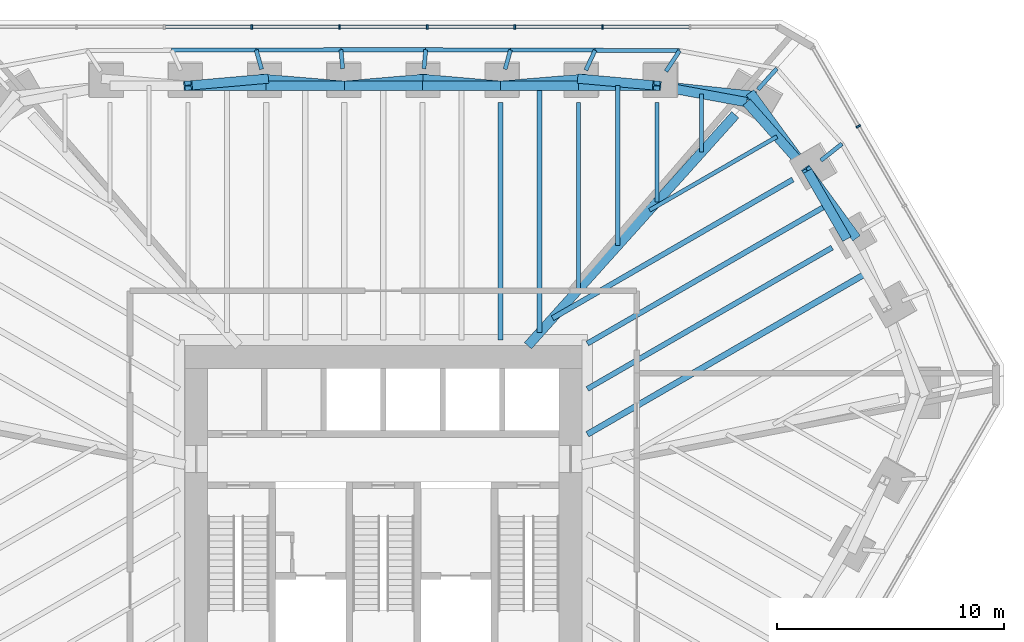
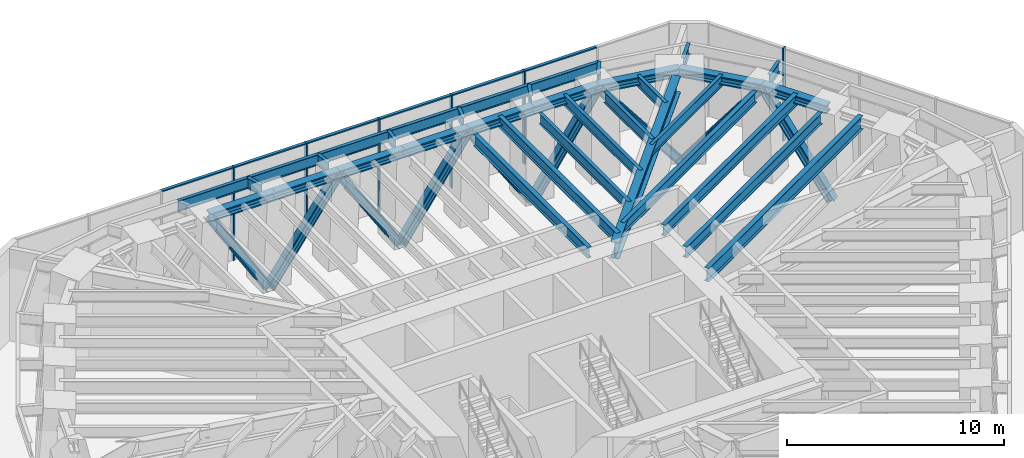
# One storey, part 8 of 13: 35 beams, 21 members, 2 elements without a shape of their own.
"""IFC4 building model written with IfcOpenShell, lengths in metres."""

from ifc_helpers import new_model, si_unit, direction, frame, origin, origin_2d, place, context, subcontext, project, spatial, rectangle, i_section, extrude, material, material_profile, profile_set, type_object, element, aggregate, save


model = new_model("IFC4")

# Units and contexts
model_context = context("Model", 3, precision=1e-05, world=origin(), true_north=direction((0.0, 1.0)))
body_context = subcontext(model_context, "Body", "Model", "MODEL_VIEW")
ifc_project = project(units=[si_unit("LENGTHUNIT", "METRE"), si_unit("AREAUNIT", "SQUARE_METRE"), si_unit("VOLUMEUNIT", "CUBIC_METRE"), si_unit("PLANEANGLEUNIT", "RADIAN"), si_unit("MASSUNIT", "GRAM", prefix="KILO")], contexts=[model_context])

# Site, building, storey
site_placement = place(None, origin())
site = spatial("IfcSite", under=ifc_project, at=site_placement, CompositionType="ELEMENT")
building_placement = place(site_placement, origin())
building = spatial("IfcBuilding", under=site, at=building_placement, Name="Sandreach Pilgrim Tower", CompositionType="ELEMENT")
storey_placement = place(building_placement, frame((0.0, 0.0, 251.60009765625)))
storey = spatial("IfcBuildingStorey", under=building, at=storey_placement, Name="L63", CompositionType="ELEMENT", Elevation=251.60009765625)

# Beams
ifc_material_1 = material(Name="Steel ASTM A913 Grade 65", Category="steel")
ifc_material_profile_1 = material_profile(ifc_material_1, i_section(OverallWidth=0.419189453125, OverallDepth=0.45458984375, WebThickness=0.042236328125, FlangeThickness=0.067626953125, at=origin_2d()), Name="W14X370")
ifc_profile_set_1 = profile_set([ifc_material_profile_1], Name="Steel ASTM A913 Grade 65")
beam_type_1 = type_object("IfcBeamType", Name="Belt truss chord W14X370", PredefinedType="BEAM", material=ifc_profile_set_1)
for number, where, z_axis, x_axis, name in (
    (1, (-8.612548828125, 18.56640625, 5.012451171875), (1.0, 0.0, 0.0), (0.0, 1.0, 0.0), "BM L63 BTT02"),
    (2, (-5.16748046875, 18.56640625, 5.012451171875), (1.0, 0.0, 0.0), (0.0, 1.0, 0.0), "BM L63 BTT03"),
):
    element("IfcBeam", number, at=place(storey_placement, frame(where, z_axis=z_axis, x_axis=x_axis)), inside=storey, type_object=beam_type_1, Name=name, PredefinedType="BEAM", context=body_context, shape_type="SweptSolid", body=[
        extrude(i_section(OverallWidth=0.419189453125, OverallDepth=0.45458984375, WebThickness=0.042236328125, FlangeThickness=0.067626953125, at=origin_2d()), origin(), (0.0, 0.0, 1.0), 3.445068359375),
    ])
beam_1_placement = place(storey_placement, frame((-1.722412109375, 18.56640625, 5.012451171875), z_axis=(1.0, 0.0, 0.0), x_axis=(0.0, 1.0, 0.0)))
element("IfcBeam", 3, at=beam_1_placement, inside=storey, type_object=beam_type_1, Name="BM L63 BTT04", PredefinedType="BEAM", context=body_context, shape_type="SweptSolid", body=[
    extrude(i_section(OverallWidth=0.419189453125, OverallDepth=0.45458984375, WebThickness=0.042236328125, FlangeThickness=0.067626953125, at=origin_2d()), origin(), (0.0, 0.0, 1.0), 3.44482421875),
])
for number, where, z_axis, x_axis, name in (
    (4, (1.722412109375, 18.56640625, 5.012451171875), (1.0, 0.0, 0.0), (0.0, 1.0, 0.0), "BM L63 BTT05"),
    (5, (5.16748046875, 18.56640625, 5.012451171875), (1.0, 0.0, 0.0), (0.0, 1.0, 0.0), "BM L63 BTT06"),
    (6, (8.612548828125, 18.56640625, 5.012451171875), (1.0, 0.0, 0.0), (0.0, 1.0, 0.0), "BM L63 BTT07"),
):
    element("IfcBeam", number, at=place(storey_placement, frame(where, z_axis=z_axis, x_axis=x_axis)), inside=storey, type_object=beam_type_1, Name=name, PredefinedType="BEAM", context=body_context, shape_type="SweptSolid", body=[
        extrude(i_section(OverallWidth=0.419189453125, OverallDepth=0.45458984375, WebThickness=0.042236328125, FlangeThickness=0.067626953125, at=origin_2d()), origin(), (0.0, 0.0, 1.0), 3.445068359375),
    ])
beam_2_placement = place(storey_placement, frame((12.0576171875, 18.56640625, 5.012451171875), z_axis=(0.983454894629, -0.181153167875, 0.0), x_axis=(0.181153167875, 0.983454894629, 0.0)))
element("IfcBeam", 7, at=beam_2_placement, inside=storey, type_object=beam_type_1, Name="BM L63 BTT08", PredefinedType="BEAM", context=body_context, shape_type="SweptSolid", body=[
    extrude(i_section(OverallWidth=0.419189453125, OverallDepth=0.45458984375, WebThickness=0.042236328125, FlangeThickness=0.067626953125, at=origin_2d()), origin(), (0.0, 0.0, 1.0), 4.025634765625),
])
beam_3_placement = place(storey_placement, frame((16.0166015625, 17.837158203125, 5.012451171875), z_axis=(0.662650525414, -0.748928755736, 0.0), x_axis=(0.748928755736, 0.662650525414, 0.0)))
element("IfcBeam", 8, at=beam_3_placement, inside=storey, type_object=beam_type_1, Name="BM L63 BTT09", PredefinedType="BEAM", context=body_context, shape_type="SweptSolid", body=[
    extrude(i_section(OverallWidth=0.419189453125, OverallDepth=0.45458984375, WebThickness=0.042236328125, FlangeThickness=0.067626953125, at=origin_2d()), origin(), (0.0, 0.0, 1.0), 4.054931640625),
])
beam_4_placement = place(storey_placement, frame((18.70361328125, 14.80029296875, 5.012451171875), z_axis=(0.500033451825, -0.866006089503, 0.0), x_axis=(0.866006089503, 0.500033451825, 0.0)))
element("IfcBeam", 9, at=beam_4_placement, inside=storey, type_object=beam_type_1, Name="BM L63 BTT10", PredefinedType="BEAM", context=body_context, shape_type="SweptSolid", body=[
    extrude(i_section(OverallWidth=0.419189453125, OverallDepth=0.45458984375, WebThickness=0.042236328125, FlangeThickness=0.067626953125, at=origin_2d()), origin(), (0.0, 0.0, 1.0), 3.465576171875),
])

# Members
ifc_material_2 = material(Name="Steel ASTM A913 Grade 65", Category="steel")
ifc_material_profile_2 = material_profile(ifc_material_2, i_section(OverallWidth=0.411376953125, OverallDepth=0.434326171875, WebThickness=0.035888671875, FlangeThickness=0.057373046875, at=origin_2d()), Name="W14X311")
ifc_profile_set_2 = profile_set([ifc_material_profile_2], Name="Steel ASTM A913 Grade 65")
member_type_1 = type_object("IfcMemberType", Name="Belt truss diagonal W14X311", PredefinedType="BRACE", material=ifc_profile_set_2)
member_1_placement = place(storey_placement, frame((-8.612548828125, 18.56640625, 5.012451171875), z_axis=(0.52805711704, 0.046349720815, -0.847943031414), x_axis=(-0.087437890048, 0.996169973139, 0.0)))
element("IfcMember", 10, at=member_1_placement, inside=storey, type_object=member_type_1, Name="Belt truss diagonal L63 bay 02", PredefinedType="BRACE", context=body_context, shape_type="SweptSolid", body=[
    extrude(i_section(OverallWidth=0.411376953125, OverallDepth=0.434326171875, WebThickness=0.035888671875, FlangeThickness=0.057373046875, at=origin_2d()), origin(), (0.0, 0.0, 1.0), 6.3681640625),
])
member_2_placement = place(storey_placement, frame((-5.249755859375, 18.861572265625, -0.387451171875), z_axis=(0.546312449408, -0.045715099068, 0.836332970377), x_axis=(0.083387959939, 0.996517158978, 0.0)))
element("IfcMember", 11, at=member_2_placement, inside=storey, type_object=member_type_1, Name="Belt truss diagonal L63 bay 03", PredefinedType="BRACE", context=body_context, shape_type="SweptSolid", body=[
    extrude(i_section(OverallWidth=0.411376953125, OverallDepth=0.434326171875, WebThickness=0.035888671875, FlangeThickness=0.057373046875, at=origin_2d()), origin(), (0.0, 0.0, 1.0), 6.45654296875),
])
member_3_placement = place(storey_placement, frame((-1.722412109375, 18.56640625, 5.012451171875), z_axis=(0.54030216631, 0.045927393593, -0.840216783692), x_axis=(-0.084697721346, 0.996406692068, 0.0)))
element("IfcMember", 12, at=member_3_placement, inside=storey, type_object=member_type_1, Name="Belt truss diagonal L63 bay 04", PredefinedType="BRACE", context=body_context, shape_type="SweptSolid", body=[
    extrude(i_section(OverallWidth=0.411376953125, OverallDepth=0.434326171875, WebThickness=0.035888671875, FlangeThickness=0.057373046875, at=origin_2d()), origin(), (0.0, 0.0, 1.0), 6.4267578125),
])
member_4_placement = place(storey_placement, frame((1.75, 18.861572265625, -0.387451171875), z_axis=(0.534208037718, -0.046139271153, 0.84409296887), x_axis=(0.086049127885, 0.996290895065, 0.0)))
element("IfcMember", 13, at=member_4_placement, inside=storey, type_object=member_type_1, Name="Belt truss diagonal L63 bay 05", PredefinedType="BRACE", context=body_context, shape_type="SweptSolid", body=[
    extrude(i_section(OverallWidth=0.411376953125, OverallDepth=0.434326171875, WebThickness=0.035888671875, FlangeThickness=0.057373046875, at=origin_2d()), origin(), (0.0, 0.0, 1.0), 6.397216796875),
])
member_5_placement = place(storey_placement, frame((5.16748046875, 18.56640625, 5.012451171875), z_axis=(0.55221335153, 0.045503403899, -0.832460121943), x_axis=(-0.08212351354, 0.996622159358, 0.0)))
element("IfcMember", 14, at=member_5_placement, inside=storey, type_object=member_type_1, Name="Belt truss diagonal L63 bay 06", PredefinedType="BRACE", context=body_context, shape_type="SweptSolid", body=[
    extrude(i_section(OverallWidth=0.411376953125, OverallDepth=0.434326171875, WebThickness=0.035888671875, FlangeThickness=0.057373046875, at=origin_2d()), origin(), (0.0, 0.0, 1.0), 6.486572265625),
])
member_6_placement = place(storey_placement, frame((8.74951171875, 18.861572265625, -0.387451171875), z_axis=(0.521821949279, -0.046559611563, 0.851782868941), x_axis=(0.088872033213, 0.996043052138, 0.0)))
element("IfcMember", 15, at=member_6_placement, inside=storey, type_object=member_type_1, Name="Belt truss diagonal L63 bay 07", PredefinedType="BRACE", context=body_context, shape_type="SweptSolid", body=[
    extrude(i_section(OverallWidth=0.411376953125, OverallDepth=0.434326171875, WebThickness=0.035888671875, FlangeThickness=0.057373046875, at=origin_2d()), origin(), (0.0, 0.0, 1.0), 6.339599609375),
])
member_7_placement = place(storey_placement, frame((12.0576171875, 18.56640625, 5.012451171875), z_axis=(0.614124235953, -0.064545456497, -0.786565513394), x_axis=(0.104525897822, 0.994522165004, 0.0)))
element("IfcMember", 16, at=member_7_placement, inside=storey, type_object=member_type_1, Name="Belt truss diagonal L63 bay 08", PredefinedType="BRACE", context=body_context, shape_type="SweptSolid", body=[
    extrude(i_section(OverallWidth=0.411376953125, OverallDepth=0.434326171875, WebThickness=0.035888671875, FlangeThickness=0.057373046875, at=origin_2d()), origin(), (0.0, 0.0, 1.0), 6.865234375),
])
member_8_placement = place(storey_placement, frame((16.273681640625, 18.123291015625, -0.387451171875), z_axis=(0.357862455817, -0.489386706131, 0.795257891868), x_axis=(0.807207447638, 0.590267851469, 0.0)))
element("IfcMember", 17, at=member_8_placement, inside=storey, type_object=member_type_1, Name="Belt truss diagonal L63 bay 09", PredefinedType="BRACE", context=body_context, shape_type="SweptSolid", body=[
    extrude(i_section(OverallWidth=0.411376953125, OverallDepth=0.434326171875, WebThickness=0.035888671875, FlangeThickness=0.057373046875, at=origin_2d()), origin(), (0.0, 0.0, 1.0), 6.7900390625),
])
member_9_placement = place(storey_placement, frame((18.70361328125, 14.80029296875, 5.012451171875), z_axis=(0.319353444465, -0.438289525661, -0.840187877325), x_axis=(0.808211729907, 0.588892010169, 0.0)))
element("IfcMember", 18, at=member_9_placement, inside=storey, type_object=member_type_1, Name="Belt truss diagonal L63 bay 10", PredefinedType="BRACE", context=body_context, shape_type="SweptSolid", body=[
    extrude(i_section(OverallWidth=0.411376953125, OverallDepth=0.434326171875, WebThickness=0.035888671875, FlangeThickness=0.057373046875, at=origin_2d()), origin(), (0.0, 0.0, 1.0), 6.427001953125),
])

# Curtain wall, members
ifc_material_3 = material(Name="Aluminium framed curtain wall", Category="aluminium")
curtain_wall_type = type_object("IfcCurtainWallType", Name="Plant storey louvred curtain wall", PredefinedType="NOTDEFINED", material=ifc_material_3)
curtain_wall_1_placement = place(storey_placement, origin())
curtain_wall_1 = element("IfcCurtainWall", 19, at=curtain_wall_1_placement, inside=storey, type_object=curtain_wall_type, Name="CW-L L63 N", PredefinedType="NOTDEFINED")
ifc_material_4 = material(Name="Aluminium extrusion", Category="aluminium")
ifc_material_profile_3 = material_profile(ifc_material_4, rectangle(XDim=0.080078125, YDim=0.199951171875, at=origin_2d()), Name="CW-LM 80X200")
ifc_profile_set_3 = profile_set([ifc_material_profile_3], Name="Aluminium extrusion")
member_type_2 = type_object("IfcMemberType", Name="CW-L mullion", PredefinedType="MULLION", material=ifc_profile_set_3)
member_10_placement = place(storey_placement, frame((-5.796630859375, 21.16015625, 0.0), z_axis=(0.0, 0.0, 1.0), x_axis=(1.0, 0.0, 0.0)))
member_10 = element("IfcMember", 20, at=member_10_placement, type_object=member_type_2, Name="CW-L mullion 4", PredefinedType="MULLION", context=body_context, shape_type="SweptSolid", body=[
    extrude(rectangle(XDim=0.080078125, YDim=0.199951171875, at=origin_2d()), origin(), (0.0, 0.0, 1.0), 5.239990234375),
])
member_11_placement = place(storey_placement, frame((-1.93212890625, 21.16015625, 0.0), z_axis=(0.0, 0.0, 1.0), x_axis=(1.0, 0.0, 0.0)))
member_11 = element("IfcMember", 21, at=member_11_placement, type_object=member_type_2, Name="CW-L mullion 5", PredefinedType="MULLION", context=body_context, shape_type="SweptSolid", body=[
    extrude(rectangle(XDim=0.080078125, YDim=0.199951171875, at=origin_2d()), origin(), (0.0, 0.0, 1.0), 5.239990234375),
])
member_12_placement = place(storey_placement, frame((1.93212890625, 21.16015625, 0.0), z_axis=(0.0, 0.0, 1.0), x_axis=(1.0, 0.0, 0.0)))
member_12 = element("IfcMember", 22, at=member_12_placement, type_object=member_type_2, Name="CW-L mullion 6", PredefinedType="MULLION", context=body_context, shape_type="SweptSolid", body=[
    extrude(rectangle(XDim=0.080078125, YDim=0.199951171875, at=origin_2d()), origin(), (0.0, 0.0, 1.0), 5.239990234375),
])
member_13_placement = place(storey_placement, frame((5.796630859375, 21.16015625, 0.0), z_axis=(0.0, 0.0, 1.0), x_axis=(1.0, 0.0, 0.0)))
member_13 = element("IfcMember", 23, at=member_13_placement, type_object=member_type_2, Name="CW-L mullion 7", PredefinedType="MULLION", context=body_context, shape_type="SweptSolid", body=[
    extrude(rectangle(XDim=0.080078125, YDim=0.199951171875, at=origin_2d()), origin(), (0.0, 0.0, 1.0), 5.239990234375),
])
member_14_placement = place(storey_placement, frame((9.6611328125, 21.16015625, 0.0), z_axis=(0.0, 0.0, 1.0), x_axis=(1.0, 0.0, 0.0)))
member_14 = element("IfcMember", 24, at=member_14_placement, type_object=member_type_2, Name="CW-L mullion 8", PredefinedType="MULLION", context=body_context, shape_type="SweptSolid", body=[
    extrude(rectangle(XDim=0.080078125, YDim=0.199951171875, at=origin_2d()), origin(), (0.0, 0.0, 1.0), 5.239990234375),
])

# Curtain wall, member
curtain_wall_2_placement = place(storey_placement, origin())
curtain_wall_2 = element("IfcCurtainWall", 25, at=curtain_wall_2_placement, inside=storey, type_object=curtain_wall_type, Name="CW-L L63 NE", PredefinedType="NOTDEFINED")
member_15_placement = place(storey_placement, frame((20.947021484375, 16.768798828125, 0.0), z_axis=(0.0, 0.0, 1.0), x_axis=(0.5, -0.866025403784, 0.0)))
member_15 = element("IfcMember", 26, at=member_15_placement, type_object=member_type_2, Name="CW-L mullion 2", PredefinedType="MULLION", context=body_context, shape_type="SweptSolid", body=[
    extrude(rectangle(XDim=0.080078125, YDim=0.199951171875, at=origin_2d()), origin(), (0.0, 0.0, 1.0), 5.239990234375),
])
aggregate(curtain_wall_2, [member_15])

# Member
ifc_material_5 = material(Name="Aluminium extrusion", Category="aluminium")
ifc_material_profile_4 = material_profile(ifc_material_5, rectangle(XDim=0.159912109375, YDim=0.070068359375, at=origin_2d()), Name="CW-LT 160X70")
ifc_profile_set_4 = profile_set([ifc_material_profile_4], Name="Aluminium extrusion")
member_type_3 = type_object("IfcMemberType", Name="CW-L transom", PredefinedType="USERDEFINED", material=ifc_profile_set_4)
member_16_placement = place(storey_placement, frame((-9.62109375, 21.16015625, 5.204833984375), z_axis=(1.0, 0.0, 0.0), x_axis=(0.0, 1.0, 0.0)))
member_16 = element("IfcMember", 27, at=member_16_placement, type_object=member_type_3, Name="CW-L head transom 3", ObjectType="TRANSOM", PredefinedType="USERDEFINED", context=body_context, shape_type="SweptSolid", body=[
    extrude(rectangle(XDim=0.159912109375, YDim=0.070068359375, at=origin_2d()), origin(), (0.0, 0.0, 1.0), 3.784423828125),
])

member_17_placement = place(storey_placement, frame((-5.756591796875, 21.16015625, 5.204833984375), z_axis=(1.0, 0.0, 0.0), x_axis=(0.0, 1.0, 0.0)))
member_17 = element("IfcMember", 28, at=member_17_placement, type_object=member_type_3, Name="CW-L head transom 4", ObjectType="TRANSOM", PredefinedType="USERDEFINED", context=body_context, shape_type="SweptSolid", body=[
    extrude(rectangle(XDim=0.159912109375, YDim=0.070068359375, at=origin_2d()), origin(), (0.0, 0.0, 1.0), 3.784423828125),
])

member_18_placement = place(storey_placement, frame((-1.89208984375, 21.16015625, 5.204833984375), z_axis=(1.0, 0.0, 0.0), x_axis=(0.0, 1.0, 0.0)))
member_18 = element("IfcMember", 29, at=member_18_placement, type_object=member_type_3, Name="CW-L head transom 5", ObjectType="TRANSOM", PredefinedType="USERDEFINED", context=body_context, shape_type="SweptSolid", body=[
    extrude(rectangle(XDim=0.159912109375, YDim=0.070068359375, at=origin_2d()), origin(), (0.0, 0.0, 1.0), 3.7841796875),
])

member_19_placement = place(storey_placement, frame((1.97216796875, 21.16015625, 5.204833984375), z_axis=(1.0, 0.0, 0.0), x_axis=(0.0, 1.0, 0.0)))
member_19 = element("IfcMember", 30, at=member_19_placement, type_object=member_type_3, Name="CW-L head transom 6", ObjectType="TRANSOM", PredefinedType="USERDEFINED", context=body_context, shape_type="SweptSolid", body=[
    extrude(rectangle(XDim=0.159912109375, YDim=0.070068359375, at=origin_2d()), origin(), (0.0, 0.0, 1.0), 3.784423828125),
])

member_20_placement = place(storey_placement, frame((5.836669921875, 21.16015625, 5.204833984375), z_axis=(1.0, 0.0, 0.0), x_axis=(0.0, 1.0, 0.0)))
member_20 = element("IfcMember", 31, at=member_20_placement, type_object=member_type_3, Name="CW-L head transom 7", ObjectType="TRANSOM", PredefinedType="USERDEFINED", context=body_context, shape_type="SweptSolid", body=[
    extrude(rectangle(XDim=0.159912109375, YDim=0.070068359375, at=origin_2d()), origin(), (0.0, 0.0, 1.0), 3.784423828125),
])

member_21_placement = place(storey_placement, frame((9.700927734375, 21.16015625, 5.204833984375), z_axis=(1.0, 0.0, 0.0), x_axis=(0.0, 1.0, 0.0)))
member_21 = element("IfcMember", 32, at=member_21_placement, type_object=member_type_3, Name="CW-L head transom 8", ObjectType="TRANSOM", PredefinedType="USERDEFINED", context=body_context, shape_type="SweptSolid", body=[
    extrude(rectangle(XDim=0.159912109375, YDim=0.070068359375, at=origin_2d()), origin(), (0.0, 0.0, 1.0), 3.784423828125),
])

aggregate(curtain_wall_1, [member_10, member_11, member_12, member_13, member_14, member_16, member_17, member_18, member_19, member_20, member_21])

# Beams
ifc_material_6 = material(Name="Steel ASTM A992 Grade 50", Category="steel")
ifc_material_profile_5 = material_profile(ifc_material_6, i_section(OverallWidth=0.419189453125, OverallDepth=0.927001953125, WebThickness=0.019287109375, FlangeThickness=0.031982421875, at=origin_2d()), Name="W36X231")
ifc_profile_set_5 = profile_set([ifc_material_profile_5], Name="Steel ASTM A992 Grade 50")
beam_type_2 = type_object("IfcBeamType", Name="Corner girder W36X231", PredefinedType="BEAM", material=ifc_profile_set_5)
beam_5_placement = place(storey_placement, frame((15.515625, 17.279052734375, 4.7763671875), z_axis=(-0.668119324795, -0.744054143081, 0.0), x_axis=(0.744054143081, -0.668119324795, 0.0)))
element("IfcBeam", 33, at=beam_5_placement, inside=storey, type_object=beam_type_2, Name="BM L63 CG09", PredefinedType="BEAM", context=body_context, shape_type="SweptSolid", body=[
    extrude(i_section(OverallWidth=0.419189453125, OverallDepth=0.927001953125, WebThickness=0.019287109375, FlangeThickness=0.031982421875, at=origin_2d()), origin(), (0.0, 0.0, 1.0), 13.680419921875),
])
ifc_material_7 = material(Name="Steel ASTM A992 Grade 50", Category="steel")
ifc_material_profile_6 = material_profile(ifc_material_7, i_section(OverallWidth=0.1787109375, OverallDepth=0.60205078125, WebThickness=0.010986328125, FlangeThickness=0.014892578125, at=origin_2d()), Name="W24X62")
ifc_profile_set_6 = profile_set([ifc_material_profile_6], Name="Steel ASTM A992 Grade 50")
beam_type_3 = type_object("IfcBeamType", Name="Floor beam W24X62", PredefinedType="BEAM", material=ifc_profile_set_6)
beam_6_placement = place(storey_placement, frame((8.612548828125, 17.81640625, 4.93896484375), z_axis=(0.0, -1.0, 0.0), x_axis=(1.0, 0.0, 0.0)))
element("IfcBeam", 34, at=beam_6_placement, inside=storey, type_object=beam_type_3, Name="BM L63 F07", PredefinedType="BEAM", context=body_context, shape_type="SweptSolid", body=[
    extrude(i_section(OverallWidth=0.1787109375, OverallDepth=0.60205078125, WebThickness=0.010986328125, FlangeThickness=0.014892578125, at=origin_2d()), origin(), (0.0, 0.0, 1.0), 8.224853515625),
])
beam_7_placement = place(storey_placement, frame((12.0576171875, 17.81640625, 4.93896484375), z_axis=(0.0, -1.0, 0.0), x_axis=(1.0, 0.0, 0.0)))
element("IfcBeam", 35, at=beam_7_placement, inside=storey, type_object=beam_type_3, Name="BM L63 F08", PredefinedType="BEAM", context=body_context, shape_type="SweptSolid", body=[
    extrude(i_section(OverallWidth=0.1787109375, OverallDepth=0.60205078125, WebThickness=0.010986328125, FlangeThickness=0.014892578125, at=origin_2d()), origin(), (0.0, 0.0, 1.0), 4.388427734375),
])
beam_8_placement = place(storey_placement, frame((10.3349609375, 18.56640625, 4.93896484375), z_axis=(0.0, -1.0, 0.0), x_axis=(1.0, 0.0, 0.0)))
element("IfcBeam", 36, at=beam_8_placement, inside=storey, type_object=beam_type_3, Name="BM L63 FM07", PredefinedType="BEAM", context=body_context, shape_type="SweptSolid", body=[
    extrude(i_section(OverallWidth=0.1787109375, OverallDepth=0.60205078125, WebThickness=0.010986328125, FlangeThickness=0.014892578125, at=origin_2d()), origin(), (0.0, 0.0, 1.0), 7.056640625),
])
beam_9_placement = place(storey_placement, frame((14.037109375, 18.201904296875, 4.93896484375), z_axis=(0.0, -1.0, 0.0), x_axis=(1.0, 0.0, 0.0)))
element("IfcBeam", 37, at=beam_9_placement, inside=storey, type_object=beam_type_3, Name="BM L63 FM08", PredefinedType="BEAM", context=body_context, shape_type="SweptSolid", body=[
    extrude(i_section(OverallWidth=0.1787109375, OverallDepth=0.60205078125, WebThickness=0.010986328125, FlangeThickness=0.014892578125, at=origin_2d()), origin(), (0.0, 0.0, 1.0), 2.5693359375),
])
beam_10_placement = place(storey_placement, frame((17.360107421875, 16.31884765625, 4.93896484375), z_axis=(-0.866023980233, -0.500002465655, 0.0), x_axis=(0.500002465655, -0.866023980233, 0.0)))
element("IfcBeam", 38, at=beam_10_placement, inside=storey, type_object=beam_type_3, Name="BM L63 FM09", PredefinedType="BEAM", context=body_context, shape_type="SweptSolid", body=[
    extrude(i_section(OverallWidth=0.1787109375, OverallDepth=0.60205078125, WebThickness=0.010986328125, FlangeThickness=0.014892578125, at=origin_2d()), origin(), (0.0, 0.0, 1.0), 6.49072265625),
])
ifc_material_8 = material(Name="Steel ASTM A992 Grade 50", Category="steel")
ifc_material_profile_7 = material_profile(ifc_material_8, i_section(OverallWidth=0.23046875, OverallDepth=0.6171875, WebThickness=0.01318359375, FlangeThickness=0.022216796875, at=origin_2d()), Name="W24X94")
ifc_profile_set_7 = profile_set([ifc_material_profile_7], Name="Steel ASTM A992 Grade 50")
beam_type_4 = type_object("IfcBeamType", Name="Floor beam W24X94", PredefinedType="BEAM", material=ifc_profile_set_7)
beam_11_placement = place(storey_placement, frame((5.16748046875, 17.81640625, 4.931396484375), z_axis=(0.0, -1.0, 0.0), x_axis=(1.0, 0.0, 0.0)))
element("IfcBeam", 39, at=beam_11_placement, inside=storey, type_object=beam_type_4, Name="BM L63 F06", PredefinedType="BEAM", context=body_context, shape_type="SweptSolid", body=[
    extrude(i_section(OverallWidth=0.23046875, OverallDepth=0.6171875, WebThickness=0.01318359375, FlangeThickness=0.022216796875, at=origin_2d()), origin(), (0.0, 0.0, 1.0), 10.47021484375),
])
beam_12_placement = place(storey_placement, frame((18.05419921875, 14.42529296875, 4.931396484375), z_axis=(-0.866026038864, -0.499998900008, 0.0), x_axis=(0.499998900008, -0.866026038864, 0.0)))
element("IfcBeam", 40, at=beam_12_placement, inside=storey, type_object=beam_type_4, Name="BM L63 F10", PredefinedType="BEAM", context=body_context, shape_type="SweptSolid", body=[
    extrude(i_section(OverallWidth=0.23046875, OverallDepth=0.6171875, WebThickness=0.01318359375, FlangeThickness=0.022216796875, at=origin_2d()), origin(), (0.0, 0.0, 1.0), 12.2314453125),
])
beam_13_placement = place(storey_placement, frame((19.786865234375, 11.424072265625, 4.931396484375), z_axis=(-0.866023089177, -0.500004008996, 0.0), x_axis=(0.500004008996, -0.866023089177, 0.0)))
element("IfcBeam", 41, at=beam_13_placement, inside=storey, type_object=beam_type_4, Name="BM L63 F11", PredefinedType="BEAM", context=body_context, shape_type="SweptSolid", body=[
    extrude(i_section(OverallWidth=0.23046875, OverallDepth=0.6171875, WebThickness=0.01318359375, FlangeThickness=0.022216796875, at=origin_2d()), origin(), (0.0, 0.0, 1.0), 12.4599609375),
])
beam_14_placement = place(storey_placement, frame((6.89013671875, 18.56640625, 4.931396484375), z_axis=(0.0, -1.0, 0.0), x_axis=(1.0, 0.0, 0.0)))
element("IfcBeam", 42, at=beam_14_placement, inside=storey, type_object=beam_type_4, Name="BM L63 FM06", PredefinedType="BEAM", context=body_context, shape_type="SweptSolid", body=[
    extrude(i_section(OverallWidth=0.23046875, OverallDepth=0.6171875, WebThickness=0.01318359375, FlangeThickness=0.022216796875, at=origin_2d()), origin(), (0.0, 0.0, 1.0), 10.893310546875),
])
beam_15_placement = place(storey_placement, frame((19.570068359375, 13.299560546875, 4.931396484375), z_axis=(-0.866025751498, -0.499999397742, 0.0), x_axis=(0.499999397742, -0.866025751498, 0.0)))
element("IfcBeam", 43, at=beam_15_placement, inside=storey, type_object=beam_type_4, Name="BM L63 FM10", PredefinedType="BEAM", context=body_context, shape_type="SweptSolid", body=[
    extrude(i_section(OverallWidth=0.23046875, OverallDepth=0.6171875, WebThickness=0.01318359375, FlangeThickness=0.022216796875, at=origin_2d()), origin(), (0.0, 0.0, 1.0), 12.20947265625),
])
ifc_material_9 = material(Name="Steel ASTM A992 Grade 50", Category="steel")
ifc_material_profile_8 = material_profile(ifc_material_9, i_section(OverallWidth=0.2666015625, OverallDepth=0.761962890625, WebThickness=0.014404296875, FlangeThickness=0.021484375, at=origin_2d()), Name="W30X116")
ifc_profile_set_8 = profile_set([ifc_material_profile_8], Name="Steel ASTM A992 Grade 50")
beam_type_5 = type_object("IfcBeamType", Name="Floor beam W30X116", PredefinedType="BEAM", material=ifc_profile_set_8)
beam_16_placement = place(storey_placement, frame((21.302978515625, 10.29833984375, 4.85888671875), z_axis=(-0.866025942161, -0.499999067503, 0.0), x_axis=(0.499999067503, -0.866025942161, 0.0)))
element("IfcBeam", 44, at=beam_16_placement, inside=storey, type_object=beam_type_5, Name="BM L63 FM11", PredefinedType="BEAM", context=body_context, shape_type="SweptSolid", body=[
    extrude(i_section(OverallWidth=0.2666015625, OverallDepth=0.761962890625, WebThickness=0.014404296875, FlangeThickness=0.021484375, at=origin_2d()), origin(), (0.0, 0.0, 1.0), 14.21044921875),
])
ifc_material_10 = material(Name="Steel ASTM A992 Grade 50", Category="steel")
ifc_material_profile_9 = material_profile(ifc_material_10, i_section(OverallWidth=0.1787109375, OverallDepth=0.60205078125, WebThickness=0.010986328125, FlangeThickness=0.014892578125, at=origin_2d()), Name="W24X62")
ifc_profile_set_9 = profile_set([ifc_material_profile_9], Name="Steel ASTM A992 Grade 50")
beam_type_6 = type_object("IfcBeamType", Name="Setback roof edge beam W24X62", PredefinedType="BEAM", material=ifc_profile_set_9)
beam_17_placement = place(storey_placement, frame((-9.33642578125, 20.126953125, 4.89892578125), z_axis=(0.999993043166, 0.003730096424, 0.0), x_axis=(-0.003730096424, 0.999993043166, 0.0)))
element("IfcBeam", 45, at=beam_17_placement, inside=storey, type_object=beam_type_6, Name="BM L63 RE02", PredefinedType="BEAM", context=body_context, shape_type="SweptSolid", body=[
    extrude(i_section(OverallWidth=0.1787109375, OverallDepth=0.60205078125, WebThickness=0.010986328125, FlangeThickness=0.014892578125, at=origin_2d()), origin(), (0.0, 0.0, 1.0), 3.730712890625),
])
beam_18_placement = place(storey_placement, frame((-5.605712890625, 20.140869140625, 4.89892578125), z_axis=(0.999997675195, 0.002156293994, 0.0), x_axis=(-0.002156293994, 0.999997675195, 0.0)))
element("IfcBeam", 46, at=beam_18_placement, inside=storey, type_object=beam_type_6, Name="BM L63 RE03", PredefinedType="BEAM", context=body_context, shape_type="SweptSolid", body=[
    extrude(i_section(OverallWidth=0.1787109375, OverallDepth=0.60205078125, WebThickness=0.010986328125, FlangeThickness=0.014892578125, at=origin_2d()), origin(), (0.0, 0.0, 1.0), 3.736328125),
])
beam_19_placement = place(storey_placement, frame((-1.869384765625, 20.14892578125, 4.89892578125), z_axis=(1.0, 0.0, 0.0), x_axis=(0.0, 1.0, 0.0)))
element("IfcBeam", 47, at=beam_19_placement, inside=storey, type_object=beam_type_6, Name="BM L63 RE04", PredefinedType="BEAM", context=body_context, shape_type="SweptSolid", body=[
    extrude(i_section(OverallWidth=0.1787109375, OverallDepth=0.60205078125, WebThickness=0.010986328125, FlangeThickness=0.014892578125, at=origin_2d()), origin(), (0.0, 0.0, 1.0), 3.73876953125),
])
beam_20_placement = place(storey_placement, frame((1.869384765625, 20.14892578125, 4.89892578125), z_axis=(0.999997675195, -0.002156293994, 0.0), x_axis=(0.002156293994, 0.999997675195, 0.0)))
element("IfcBeam", 48, at=beam_20_placement, inside=storey, type_object=beam_type_6, Name="BM L63 RE05", PredefinedType="BEAM", context=body_context, shape_type="SweptSolid", body=[
    extrude(i_section(OverallWidth=0.1787109375, OverallDepth=0.60205078125, WebThickness=0.010986328125, FlangeThickness=0.014892578125, at=origin_2d()), origin(), (0.0, 0.0, 1.0), 3.736328125),
])
beam_21_placement = place(storey_placement, frame((5.605712890625, 20.140869140625, 4.89892578125), z_axis=(0.999993043166, -0.003730096424, 0.0), x_axis=(0.003730096424, 0.999993043166, 0.0)))
element("IfcBeam", 49, at=beam_21_placement, inside=storey, type_object=beam_type_6, Name="BM L63 RE06", PredefinedType="BEAM", context=body_context, shape_type="SweptSolid", body=[
    extrude(i_section(OverallWidth=0.1787109375, OverallDepth=0.60205078125, WebThickness=0.010986328125, FlangeThickness=0.014892578125, at=origin_2d()), origin(), (0.0, 0.0, 1.0), 3.730712890625),
])
beam_22_placement = place(storey_placement, frame((9.33642578125, 20.126953125, 4.89892578125), z_axis=(0.999989466745, -0.004589814614, 0.0), x_axis=(0.004589814614, 0.999989466745, 0.0)))
element("IfcBeam", 50, at=beam_22_placement, inside=storey, type_object=beam_type_6, Name="BM L63 RE07", PredefinedType="BEAM", context=body_context, shape_type="SweptSolid", body=[
    extrude(i_section(OverallWidth=0.1787109375, OverallDepth=0.60205078125, WebThickness=0.010986328125, FlangeThickness=0.014892578125, at=origin_2d()), origin(), (0.0, 0.0, 1.0), 3.723388671875),
])
ifc_material_11 = material(Name="Steel ASTM A992 Grade 50", Category="steel")
ifc_material_profile_10 = material_profile(ifc_material_11, i_section(OverallWidth=0.1787109375, OverallDepth=0.60205078125, WebThickness=0.010986328125, FlangeThickness=0.014892578125, at=origin_2d()), Name="W24X62")
ifc_profile_set_10 = profile_set([ifc_material_profile_10], Name="Steel ASTM A992 Grade 50")
beam_type_7 = type_object("IfcBeamType", Name="Setback roof outlooker W24X62", PredefinedType="BEAM", material=ifc_profile_set_10)
beam_23_placement = place(storey_placement, frame((-5.36865234375, 19.2890625, 4.89892578125), z_axis=(-0.268113792001, 0.963387250559, 0.0), x_axis=(-0.963387250559, -0.268113792001, 0.0)))
element("IfcBeam", 51, at=beam_23_placement, inside=storey, type_object=beam_type_7, Name="BM L63 OL03", PredefinedType="BEAM", context=body_context, shape_type="SweptSolid", body=[
    extrude(i_section(OverallWidth=0.1787109375, OverallDepth=0.60205078125, WebThickness=0.010986328125, FlangeThickness=0.014892578125, at=origin_2d()), origin(), (0.0, 0.0, 1.0), 0.88427734375),
])
for number, where, z_axis, x_axis, name in (
    (52, (-1.791748046875, 19.313232421875, 4.89892578125), (-0.092502645488, 0.995712438698, 0.0), (-0.995712438698, -0.092502645488, 0.0), "BM L63 OL04"),
    (53, (1.791748046875, 19.313232421875, 4.89892578125), (0.092502645488, 0.995712438698, 0.0), (-0.995712438698, 0.092502645488, 0.0), "BM L63 OL05"),
):
    element("IfcBeam", number, at=place(storey_placement, frame(where, z_axis=z_axis, x_axis=x_axis)), inside=storey, type_object=beam_type_7, Name=name, PredefinedType="BEAM", context=body_context, shape_type="SweptSolid", body=[
        extrude(i_section(OverallWidth=0.1787109375, OverallDepth=0.60205078125, WebThickness=0.010986328125, FlangeThickness=0.014892578125, at=origin_2d()), origin(), (0.0, 0.0, 1.0), 0.83935546875),
    ])
beam_24_placement = place(storey_placement, frame((5.36865234375, 19.2890625, 4.89892578125), z_axis=(0.268113792001, 0.963387250559, 0.0), x_axis=(-0.963387250559, 0.268113792001, 0.0)))
element("IfcBeam", 54, at=beam_24_placement, inside=storey, type_object=beam_type_7, Name="BM L63 OL06", PredefinedType="BEAM", context=body_context, shape_type="SweptSolid", body=[
    extrude(i_section(OverallWidth=0.1787109375, OverallDepth=0.60205078125, WebThickness=0.010986328125, FlangeThickness=0.014892578125, at=origin_2d()), origin(), (0.0, 0.0, 1.0), 0.88427734375),
])
beam_25_placement = place(storey_placement, frame((8.92822265625, 19.246826171875, 4.89892578125), z_axis=(0.420748989809, 0.907177098242, 0.0), x_axis=(-0.907177098242, 0.420748989809, 0.0)))
element("IfcBeam", 55, at=beam_25_placement, inside=storey, type_object=beam_type_7, Name="BM L63 OL07", PredefinedType="BEAM", context=body_context, shape_type="SweptSolid", body=[
    extrude(i_section(OverallWidth=0.1787109375, OverallDepth=0.60205078125, WebThickness=0.010986328125, FlangeThickness=0.014892578125, at=origin_2d()), origin(), (0.0, 0.0, 1.0), 0.97021484375),
])
beam_26_placement = place(storey_placement, frame((12.466064453125, 19.1953125, 4.89892578125), z_axis=(0.544531807015, 0.838740192878, 0.0), x_axis=(-0.838740192878, 0.544531807015, 0.0)))
element("IfcBeam", 56, at=beam_26_placement, inside=storey, type_object=beam_type_7, Name="BM L63 OL08", PredefinedType="BEAM", context=body_context, shape_type="SweptSolid", body=[
    extrude(i_section(OverallWidth=0.1787109375, OverallDepth=0.60205078125, WebThickness=0.010986328125, FlangeThickness=0.014892578125, at=origin_2d()), origin(), (0.0, 0.0, 1.0), 1.09033203125),
])
beam_27_placement = place(storey_placement, frame((16.517822265625, 18.395263671875, 4.89892578125), z_axis=(0.668027348841, 0.744136722115, 0.0), x_axis=(-0.744136722115, 0.668027348841, 0.0)))
element("IfcBeam", 57, at=beam_27_placement, inside=storey, type_object=beam_type_7, Name="BM L63 OL09", PredefinedType="BEAM", context=body_context, shape_type="SweptSolid", body=[
    extrude(i_section(OverallWidth=0.1787109375, OverallDepth=0.60205078125, WebThickness=0.010986328125, FlangeThickness=0.014892578125, at=origin_2d()), origin(), (0.0, 0.0, 1.0), 1.23828125),
])
beam_28_placement = place(storey_placement, frame((19.291748046875, 15.265625, 4.89892578125), z_axis=(0.784233758786, 0.620465479765, 0.0), x_axis=(-0.620465479765, 0.784233758786, 0.0)))
element("IfcBeam", 58, at=beam_28_placement, inside=storey, type_object=beam_type_7, Name="BM L63 OL10", PredefinedType="BEAM", context=body_context, shape_type="SweptSolid", body=[
    extrude(i_section(OverallWidth=0.1787109375, OverallDepth=0.60205078125, WebThickness=0.010986328125, FlangeThickness=0.014892578125, at=origin_2d()), origin(), (0.0, 0.0, 1.0), 1.18505859375),
])

save(model, "model.ifc")
